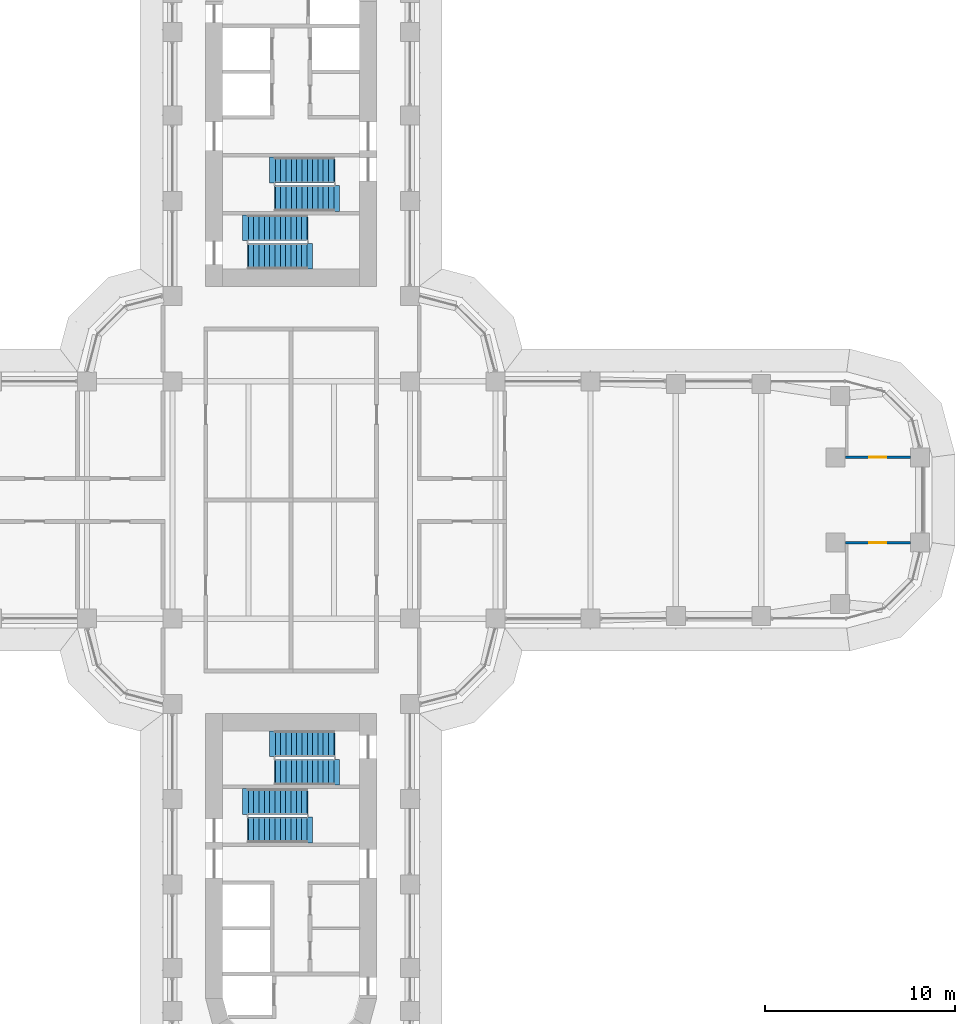
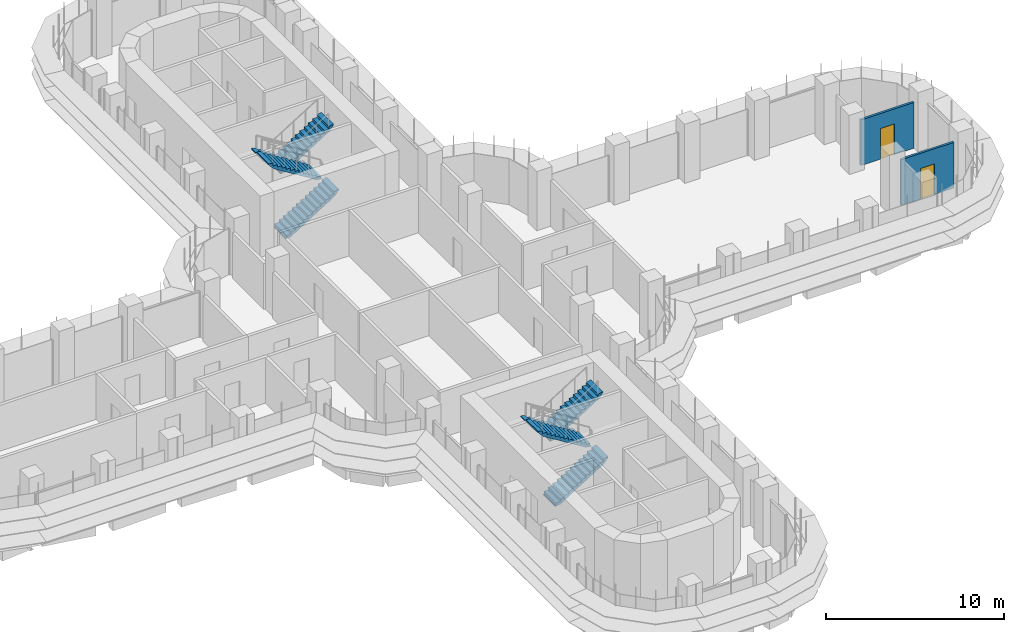
# One storey, part 19 of 23: 8 stair flights, 2 doors, 2 walls, 2 openings, 4 elements without a shape of their own.
"""IFC4 building model written with IfcOpenShell, lengths in metres."""

from ifc_helpers import new_model, si_unit, direction, frame, frame_2d, origin, place, context, subcontext, project, spatial, polyline, rectangle, outline, extrude, material, layer, layer_set, type_object, element, fill, aggregate, save


model = new_model("IFC4")

# Units and contexts
model_context = context("Model", 3, precision=1e-05, world=origin(), true_north=direction((0.0, 1.0)))
body_context = subcontext(model_context, "Body", "Model", "MODEL_VIEW")
ifc_project = project(units=[si_unit("LENGTHUNIT", "METRE"), si_unit("AREAUNIT", "SQUARE_METRE"), si_unit("VOLUMEUNIT", "CUBIC_METRE"), si_unit("PLANEANGLEUNIT", "RADIAN"), si_unit("MASSUNIT", "GRAM", prefix="KILO")], contexts=[model_context])

# Site, building, storey
site_placement = place(None, origin())
site = spatial("IfcSite", under=ifc_project, at=site_placement, CompositionType="ELEMENT")
building_placement = place(site_placement, origin())
building = spatial("IfcBuilding", under=site, at=building_placement, Name="Zarbagh Exchange Tower", CompositionType="ELEMENT")
storey_placement = place(building_placement, frame((0.0, 0.0, 56.39990234375)))
storey = spatial("IfcBuildingStorey", under=building, at=storey_placement, Name="L12", CompositionType="ELEMENT", Elevation=56.39990234375)

# Wall, opening, door
ifc_material_1 = material(Name="Plasterboard partition")
ifc_layer = layer(ifc_material_1, 0.14990234375)
ifc_layer_set = layer_set([ifc_layer], Name="PARTITION 150")
wall_type = type_object("IfcWallType", Name="PARTITION 150", PredefinedType="PARTITIONING", material=ifc_layer_set)
wall_1_placement = place(storey_placement, frame((29.175048828125, 2.25, 0.0), z_axis=(0.0, 0.0, 1.0), x_axis=(1.0, 0.0, 0.0)))
wall_1 = element("IfcWall", 1, at=wall_1_placement, inside=storey, type_object=wall_type, Name="Partition W-427", PredefinedType="PARTITIONING", context=body_context, shape_type="SweptSolid", body=[
    extrude(rectangle(XDim=3.43505859375, YDim=0.14990234375, at=frame_2d((1.717529296875, 0.0))), origin(), (0.0, 0.0, 1.0), 3.130615234375),
])
opening_1_placement = place(wall_1_placement, frame((1.267578125, 0.0, 0.0)))
opening_1 = element("IfcOpeningElement", 2, at=opening_1_placement, cuts=wall_1, Name="Opening D-405", PredefinedType="OPENING", context=body_context, shape_type="SweptSolid", body=[
    extrude(rectangle(XDim=0.89990234375, YDim=2.10009765625, at=frame_2d((0.449951171875, 1.050048828125))), frame((0.0, 0.0849609375, 0.0), z_axis=(0.0, -1.0, 0.0), x_axis=(1.0, 0.0, 0.0)), (0.0, 0.0, 1.0), 0.169921875),
])
ifc_material_2 = material(Name="Timber door leaf", Category="wood")
door_type = type_object("IfcDoorType", Name="DOOR 900 X 2100", OperationType="NOTDEFINED", PredefinedType="DOOR", material=ifc_material_2)
door_1_placement = place(opening_1_placement, origin())
door_1 = element("IfcDoor", 3, at=door_1_placement, inside=storey, type_object=door_type, Name="Door D-405", OperationType="SINGLE_SWING_LEFT", OverallHeight=2.10009765625, OverallWidth=0.89990234375, PredefinedType="DOOR", context=body_context, shape_type="SweptSolid", body=[
    extrude(rectangle(XDim=0.89990234375, YDim=2.10009765625, at=frame_2d((0.449951171875, 1.050048828125))), frame((0.0, 0.02490234375, 0.0), z_axis=(0.0, -1.0, 0.0), x_axis=(1.0, 0.0, 0.0)), (0.0, 0.0, 1.0), 0.050048828125),
])
fill(opening_1, door_1)

wall_2_placement = place(storey_placement, frame((32.610107421875, -2.25, 0.0), z_axis=(0.0, 0.0, 1.0), x_axis=(-1.0, 0.0, 0.0)))
wall_2 = element("IfcWall", 4, at=wall_2_placement, inside=storey, type_object=wall_type, Name="Partition W-428", PredefinedType="PARTITIONING", context=body_context, shape_type="SweptSolid", body=[
    extrude(rectangle(XDim=3.43505859375, YDim=0.14990234375, at=frame_2d((1.717529296875, 0.0))), origin(), (0.0, 0.0, 1.0), 3.130615234375),
])
opening_2_placement = place(wall_2_placement, frame((1.267578125, 0.0, 0.0)))
opening_2 = element("IfcOpeningElement", 5, at=opening_2_placement, cuts=wall_2, Name="Opening D-406", PredefinedType="OPENING", context=body_context, shape_type="SweptSolid", body=[
    extrude(rectangle(XDim=0.89990234375, YDim=2.10009765625, at=frame_2d((0.449951171875, 1.050048828125))), frame((0.0, 0.0849609375, 0.0), z_axis=(0.0, -1.0, 0.0), x_axis=(1.0, 0.0, 0.0)), (0.0, 0.0, 1.0), 0.169921875),
])
door_2_placement = place(opening_2_placement, origin())
door_2 = element("IfcDoor", 6, at=door_2_placement, inside=storey, type_object=door_type, Name="Door D-406", OperationType="SINGLE_SWING_RIGHT", OverallHeight=2.10009765625, OverallWidth=0.89990234375, PredefinedType="DOOR", context=body_context, shape_type="SweptSolid", body=[
    extrude(rectangle(XDim=0.89990234375, YDim=2.10009765625, at=frame_2d((0.449951171875, 1.050048828125))), frame((0.0, 0.02490234375, 0.0), z_axis=(0.0, -1.0, 0.0), x_axis=(1.0, 0.0, 0.0)), (0.0, 0.0, 1.0), 0.050048828125),
])
fill(opening_2, door_2)

# Stair, stair flights
ifc_material_3 = material(Name="Concrete C40/50", Category="concrete")
stair_type = type_object("IfcStairType", Name="Exit stair two-flight half-turn", PredefinedType="HALF_TURN_STAIR", material=ifc_material_3)
stair_1_placement = place(storey_placement, origin())
stair_1 = element("IfcStair", 7, at=stair_1_placement, inside=storey, type_object=stair_type, Name="exit stair ST1", PredefinedType="HALF_TURN_STAIR")
stair_flight_type = type_object("IfcStairFlightType", Name="Stair flight 1350 mm", PredefinedType="STRAIGHT", material=ifc_material_3)
stair_flight_1_placement = place(storey_placement, frame((2.25, 17.375, 0.0), z_axis=(0.0, 0.0, 1.0), x_axis=(-1.0, 0.0, 0.0)))
stair_flight_1 = element("IfcStairFlight", 8, at=stair_flight_1_placement, type_object=stair_flight_type, Name="ST1 flight 1", NumberOfRisers=12, NumberOfTreads=11, PredefinedType="STRAIGHT", RiserHeight=0.175, TreadLength=0.28, context=body_context, shape_type="SweptSolid", body=[
    extrude(outline(polyline([(-0.050048828125, -0.050048828125), (-0.050048828125, 0.0), (0.0, 0.0), (0.0, 0.175048828125), (0.280029296875, 0.175048828125), (0.280029296875, 0.35009765625), (0.56005859375, 0.35009765625), (0.56005859375, 0.52490234375), (0.840087890625, 0.52490234375), (0.840087890625, 0.699951171875), (1.1201171875, 0.699951171875), (1.1201171875, 0.875), (1.39990234375, 0.875), (1.39990234375, 1.050048828125), (1.679931640625, 1.050048828125), (1.679931640625, 1.22509765625), (1.9599609375, 1.22509765625), (1.9599609375, 1.39990234375), (2.239990234375, 1.39990234375), (2.239990234375, 1.574951171875), (2.52001953125, 1.574951171875), (2.52001953125, 1.75), (2.800048828125, 1.75), (2.800048828125, 1.925048828125), (3.080078125, 1.925048828125), (3.080078125, 2.10009765625), (3.3798828125, 2.179931640625), (3.3798828125, 2.10009765625), (3.080078125, 1.748291015625), (0.28271484375, 0.0), (-0.050048828125, -0.050048828125)])), frame((0.0, 0.675048828125, 0.0), z_axis=(0.0, -1.0, 0.0), x_axis=(1.0, 0.0, 0.0)), (0.0, 0.0, 1.0), 1.35009765625),
])
stair_flight_2_placement = place(storey_placement, frame((-0.830078125, 15.875, 2.10009765625), z_axis=(0.0, 0.0, 1.0), x_axis=(1.0, 0.0, 0.0)))
stair_flight_2 = element("IfcStairFlight", 9, at=stair_flight_2_placement, type_object=stair_flight_type, Name="ST1 flight 2", NumberOfRisers=12, NumberOfTreads=11, PredefinedType="STRAIGHT", RiserHeight=0.175, TreadLength=0.28, context=body_context, shape_type="SweptSolid", body=[
    extrude(outline(polyline([(-0.050048828125, -0.050048828125), (-0.050048828125, 0.0), (0.0, 0.0), (0.0, 0.175048828125), (0.280029296875, 0.175048828125), (0.280029296875, 0.35009765625), (0.56005859375, 0.35009765625), (0.56005859375, 0.52490234375), (0.840087890625, 0.52490234375), (0.840087890625, 0.699951171875), (1.1201171875, 0.699951171875), (1.1201171875, 0.875), (1.39990234375, 0.875), (1.39990234375, 1.050048828125), (1.679931640625, 1.050048828125), (1.679931640625, 1.22509765625), (1.9599609375, 1.22509765625), (1.9599609375, 1.39990234375), (2.239990234375, 1.39990234375), (2.239990234375, 1.574951171875), (2.52001953125, 1.574951171875), (2.52001953125, 1.75), (2.800048828125, 1.75), (2.800048828125, 1.925048828125), (3.080078125, 1.925048828125), (3.080078125, 2.10009765625), (3.3798828125, 2.179931640625), (3.3798828125, 2.10009765625), (3.080078125, 1.748291015625), (0.28271484375, 0.0), (-0.050048828125, -0.050048828125)])), frame((0.0, 0.675048828125, 0.0), z_axis=(0.0, -1.0, 0.0), x_axis=(1.0, 0.0, 0.0)), (0.0, 0.0, 1.0), 1.35009765625),
])
aggregate(stair_1, [stair_flight_1, stair_flight_2])

stair_2_placement = place(storey_placement, origin())
stair_2 = element("IfcStair", 10, at=stair_2_placement, inside=storey, type_object=stair_type, Name="exit stair ST2", PredefinedType="HALF_TURN_STAIR")
stair_flight_3_placement = place(storey_placement, frame((-2.25, 12.824951171875, 0.0), z_axis=(0.0, 0.0, 1.0), x_axis=(1.0, 0.0, 0.0)))
stair_flight_3 = element("IfcStairFlight", 11, at=stair_flight_3_placement, type_object=stair_flight_type, Name="ST2 flight 1", NumberOfRisers=12, NumberOfTreads=11, PredefinedType="STRAIGHT", RiserHeight=0.175, TreadLength=0.28, context=body_context, shape_type="SweptSolid", body=[
    extrude(outline(polyline([(-0.050048828125, -0.050048828125), (-0.050048828125, 0.0), (0.0, 0.0), (0.0, 0.175048828125), (0.280029296875, 0.175048828125), (0.280029296875, 0.35009765625), (0.56005859375, 0.35009765625), (0.56005859375, 0.52490234375), (0.840087890625, 0.52490234375), (0.840087890625, 0.699951171875), (1.1201171875, 0.699951171875), (1.1201171875, 0.875), (1.39990234375, 0.875), (1.39990234375, 1.050048828125), (1.679931640625, 1.050048828125), (1.679931640625, 1.22509765625), (1.9599609375, 1.22509765625), (1.9599609375, 1.39990234375), (2.239990234375, 1.39990234375), (2.239990234375, 1.574951171875), (2.52001953125, 1.574951171875), (2.52001953125, 1.75), (2.800048828125, 1.75), (2.800048828125, 1.925048828125), (3.080078125, 1.925048828125), (3.080078125, 2.10009765625), (3.3798828125, 2.179931640625), (3.3798828125, 2.10009765625), (3.080078125, 1.748291015625), (0.28271484375, 0.0), (-0.050048828125, -0.050048828125)])), frame((0.0, 0.675048828125, 0.0), z_axis=(0.0, -1.0, 0.0), x_axis=(1.0, 0.0, 0.0)), (0.0, 0.0, 1.0), 1.35009765625),
])
stair_flight_4_placement = place(storey_placement, frame((0.830078125, 14.324951171875, 2.10009765625), z_axis=(0.0, 0.0, 1.0), x_axis=(-1.0, 0.0, 0.0)))
stair_flight_4 = element("IfcStairFlight", 12, at=stair_flight_4_placement, type_object=stair_flight_type, Name="ST2 flight 2", NumberOfRisers=12, NumberOfTreads=11, PredefinedType="STRAIGHT", RiserHeight=0.175, TreadLength=0.28, context=body_context, shape_type="SweptSolid", body=[
    extrude(outline(polyline([(-0.050048828125, -0.050048828125), (-0.050048828125, 0.0), (0.0, 0.0), (0.0, 0.175048828125), (0.280029296875, 0.175048828125), (0.280029296875, 0.35009765625), (0.56005859375, 0.35009765625), (0.56005859375, 0.52490234375), (0.840087890625, 0.52490234375), (0.840087890625, 0.699951171875), (1.1201171875, 0.699951171875), (1.1201171875, 0.875), (1.39990234375, 0.875), (1.39990234375, 1.050048828125), (1.679931640625, 1.050048828125), (1.679931640625, 1.22509765625), (1.9599609375, 1.22509765625), (1.9599609375, 1.39990234375), (2.239990234375, 1.39990234375), (2.239990234375, 1.574951171875), (2.52001953125, 1.574951171875), (2.52001953125, 1.75), (2.800048828125, 1.75), (2.800048828125, 1.925048828125), (3.080078125, 1.925048828125), (3.080078125, 2.10009765625), (3.3798828125, 2.179931640625), (3.3798828125, 2.10009765625), (3.080078125, 1.748291015625), (0.28271484375, 0.0), (-0.050048828125, -0.050048828125)])), frame((0.0, 0.675048828125, 0.0), z_axis=(0.0, -1.0, 0.0), x_axis=(1.0, 0.0, 0.0)), (0.0, 0.0, 1.0), 1.35009765625),
])
aggregate(stair_2, [stair_flight_3, stair_flight_4])

stair_3_placement = place(storey_placement, origin())
stair_3 = element("IfcStair", 13, at=stair_3_placement, inside=storey, type_object=stair_type, Name="exit stair ST3", PredefinedType="HALF_TURN_STAIR")
stair_flight_5_placement = place(storey_placement, frame((-2.25, -17.375, 0.0), z_axis=(0.0, 0.0, 1.0), x_axis=(1.0, 0.0, 0.0)))
stair_flight_5 = element("IfcStairFlight", 14, at=stair_flight_5_placement, type_object=stair_flight_type, Name="ST3 flight 1", NumberOfRisers=12, NumberOfTreads=11, PredefinedType="STRAIGHT", RiserHeight=0.175, TreadLength=0.28, context=body_context, shape_type="SweptSolid", body=[
    extrude(outline(polyline([(-0.050048828125, -0.050048828125), (-0.050048828125, 0.0), (0.0, 0.0), (0.0, 0.175048828125), (0.280029296875, 0.175048828125), (0.280029296875, 0.35009765625), (0.56005859375, 0.35009765625), (0.56005859375, 0.52490234375), (0.840087890625, 0.52490234375), (0.840087890625, 0.699951171875), (1.1201171875, 0.699951171875), (1.1201171875, 0.875), (1.39990234375, 0.875), (1.39990234375, 1.050048828125), (1.679931640625, 1.050048828125), (1.679931640625, 1.22509765625), (1.9599609375, 1.22509765625), (1.9599609375, 1.39990234375), (2.239990234375, 1.39990234375), (2.239990234375, 1.574951171875), (2.52001953125, 1.574951171875), (2.52001953125, 1.75), (2.800048828125, 1.75), (2.800048828125, 1.925048828125), (3.080078125, 1.925048828125), (3.080078125, 2.10009765625), (3.3798828125, 2.179931640625), (3.3798828125, 2.10009765625), (3.080078125, 1.748291015625), (0.28271484375, 0.0), (-0.050048828125, -0.050048828125)])), frame((0.0, 0.675048828125, 0.0), z_axis=(0.0, -1.0, 0.0), x_axis=(1.0, 0.0, 0.0)), (0.0, 0.0, 1.0), 1.35009765625),
])
stair_flight_6_placement = place(storey_placement, frame((0.830078125, -15.875, 2.10009765625), z_axis=(0.0, 0.0, 1.0), x_axis=(-1.0, 0.0, 0.0)))
stair_flight_6 = element("IfcStairFlight", 15, at=stair_flight_6_placement, type_object=stair_flight_type, Name="ST3 flight 2", NumberOfRisers=12, NumberOfTreads=11, PredefinedType="STRAIGHT", RiserHeight=0.175, TreadLength=0.28, context=body_context, shape_type="SweptSolid", body=[
    extrude(outline(polyline([(-0.050048828125, -0.050048828125), (-0.050048828125, 0.0), (0.0, 0.0), (0.0, 0.175048828125), (0.280029296875, 0.175048828125), (0.280029296875, 0.35009765625), (0.56005859375, 0.35009765625), (0.56005859375, 0.52490234375), (0.840087890625, 0.52490234375), (0.840087890625, 0.699951171875), (1.1201171875, 0.699951171875), (1.1201171875, 0.875), (1.39990234375, 0.875), (1.39990234375, 1.050048828125), (1.679931640625, 1.050048828125), (1.679931640625, 1.22509765625), (1.9599609375, 1.22509765625), (1.9599609375, 1.39990234375), (2.239990234375, 1.39990234375), (2.239990234375, 1.574951171875), (2.52001953125, 1.574951171875), (2.52001953125, 1.75), (2.800048828125, 1.75), (2.800048828125, 1.925048828125), (3.080078125, 1.925048828125), (3.080078125, 2.10009765625), (3.3798828125, 2.179931640625), (3.3798828125, 2.10009765625), (3.080078125, 1.748291015625), (0.28271484375, 0.0), (-0.050048828125, -0.050048828125)])), frame((0.0, 0.675048828125, 0.0), z_axis=(0.0, -1.0, 0.0), x_axis=(1.0, 0.0, 0.0)), (0.0, 0.0, 1.0), 1.35009765625),
])
aggregate(stair_3, [stair_flight_5, stair_flight_6])

stair_4_placement = place(storey_placement, origin())
stair_4 = element("IfcStair", 16, at=stair_4_placement, inside=storey, type_object=stair_type, Name="exit stair ST4", PredefinedType="HALF_TURN_STAIR")
stair_flight_7_placement = place(storey_placement, frame((2.25, -12.824951171875, 0.0), z_axis=(0.0, 0.0, 1.0), x_axis=(-1.0, 0.0, 0.0)))
stair_flight_7 = element("IfcStairFlight", 17, at=stair_flight_7_placement, type_object=stair_flight_type, Name="ST4 flight 1", NumberOfRisers=12, NumberOfTreads=11, PredefinedType="STRAIGHT", RiserHeight=0.175, TreadLength=0.28, context=body_context, shape_type="SweptSolid", body=[
    extrude(outline(polyline([(-0.050048828125, -0.050048828125), (-0.050048828125, 0.0), (0.0, 0.0), (0.0, 0.175048828125), (0.280029296875, 0.175048828125), (0.280029296875, 0.35009765625), (0.56005859375, 0.35009765625), (0.56005859375, 0.52490234375), (0.840087890625, 0.52490234375), (0.840087890625, 0.699951171875), (1.1201171875, 0.699951171875), (1.1201171875, 0.875), (1.39990234375, 0.875), (1.39990234375, 1.050048828125), (1.679931640625, 1.050048828125), (1.679931640625, 1.22509765625), (1.9599609375, 1.22509765625), (1.9599609375, 1.39990234375), (2.239990234375, 1.39990234375), (2.239990234375, 1.574951171875), (2.52001953125, 1.574951171875), (2.52001953125, 1.75), (2.800048828125, 1.75), (2.800048828125, 1.925048828125), (3.080078125, 1.925048828125), (3.080078125, 2.10009765625), (3.3798828125, 2.179931640625), (3.3798828125, 2.10009765625), (3.080078125, 1.748291015625), (0.28271484375, 0.0), (-0.050048828125, -0.050048828125)])), frame((0.0, 0.675048828125, 0.0), z_axis=(0.0, -1.0, 0.0), x_axis=(1.0, 0.0, 0.0)), (0.0, 0.0, 1.0), 1.35009765625),
])
stair_flight_8_placement = place(storey_placement, frame((-0.830078125, -14.324951171875, 2.10009765625), z_axis=(0.0, 0.0, 1.0), x_axis=(1.0, 0.0, 0.0)))
stair_flight_8 = element("IfcStairFlight", 18, at=stair_flight_8_placement, type_object=stair_flight_type, Name="ST4 flight 2", NumberOfRisers=12, NumberOfTreads=11, PredefinedType="STRAIGHT", RiserHeight=0.175, TreadLength=0.28, context=body_context, shape_type="SweptSolid", body=[
    extrude(outline(polyline([(-0.050048828125, -0.050048828125), (-0.050048828125, 0.0), (0.0, 0.0), (0.0, 0.175048828125), (0.280029296875, 0.175048828125), (0.280029296875, 0.35009765625), (0.56005859375, 0.35009765625), (0.56005859375, 0.52490234375), (0.840087890625, 0.52490234375), (0.840087890625, 0.699951171875), (1.1201171875, 0.699951171875), (1.1201171875, 0.875), (1.39990234375, 0.875), (1.39990234375, 1.050048828125), (1.679931640625, 1.050048828125), (1.679931640625, 1.22509765625), (1.9599609375, 1.22509765625), (1.9599609375, 1.39990234375), (2.239990234375, 1.39990234375), (2.239990234375, 1.574951171875), (2.52001953125, 1.574951171875), (2.52001953125, 1.75), (2.800048828125, 1.75), (2.800048828125, 1.925048828125), (3.080078125, 1.925048828125), (3.080078125, 2.10009765625), (3.3798828125, 2.179931640625), (3.3798828125, 2.10009765625), (3.080078125, 1.748291015625), (0.28271484375, 0.0), (-0.050048828125, -0.050048828125)])), frame((0.0, 0.675048828125, 0.0), z_axis=(0.0, -1.0, 0.0), x_axis=(1.0, 0.0, 0.0)), (0.0, 0.0, 1.0), 1.35009765625),
])
aggregate(stair_4, [stair_flight_7, stair_flight_8])

save(model, "model.ifc")
